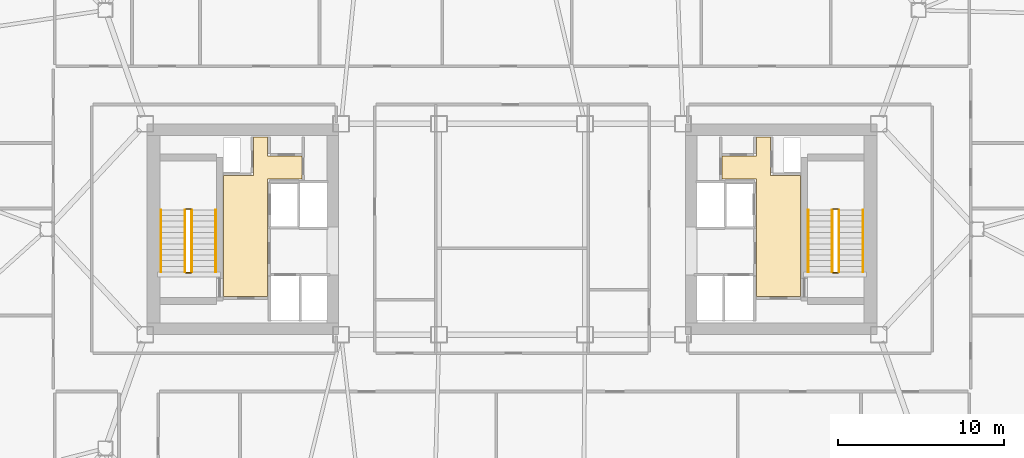
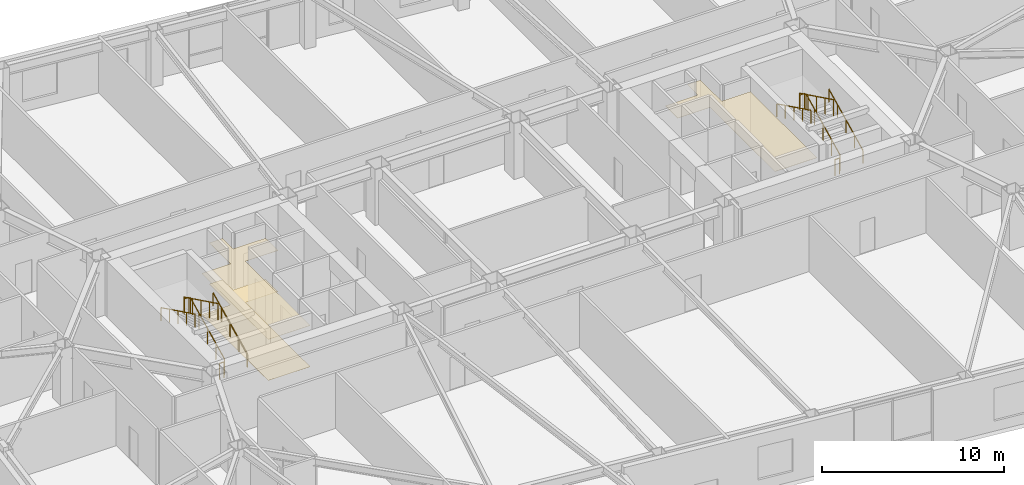
# One storey, part 19 of 19: 12 railings, 3 coverings.
"""IFC4 building model written with IfcOpenShell, lengths in metres."""

from ifc_helpers import new_model, si_unit, direction, frame, origin, origin_2d, place, context, subcontext, project, spatial, polyline, rectangle, outline, extrude, material, layer, layer_set, type_object, element, save


model = new_model("IFC4")

# Units and contexts
model_context = context("Model", 3, precision=1e-05, world=origin(), true_north=direction((0.0, 1.0)))
body_context = subcontext(model_context, "Body", "Model", "MODEL_VIEW")
ifc_project = project(units=[si_unit("LENGTHUNIT", "METRE"), si_unit("AREAUNIT", "SQUARE_METRE"), si_unit("VOLUMEUNIT", "CUBIC_METRE"), si_unit("PLANEANGLEUNIT", "RADIAN"), si_unit("MASSUNIT", "GRAM", prefix="KILO")], contexts=[model_context])

# Site, building, storey
site_placement = place(None, origin())
site = spatial("IfcSite", under=ifc_project, at=site_placement, CompositionType="ELEMENT")
building_placement = place(site_placement, origin())
building = spatial("IfcBuilding", under=site, at=building_placement, Name="Tavrogorsk Clinical Tower", CompositionType="ELEMENT")
storey_placement = place(building_placement, frame((0.0, 0.0, 101.39990234375)))
storey = spatial("IfcBuildingStorey", under=building, at=storey_placement, Name="L22", CompositionType="ELEMENT", Elevation=101.39990234375)

# Coverings
ifc_material_1 = material(Name="Antibacterial micro-perforated aluminium ceiling", Category="aluminium")
ifc_layer_1 = layer(ifc_material_1, 0.014892578125)
ifc_layer_set_1 = layer_set([ifc_layer_1], Name="Antibacterial micro-perforated aluminium ceiling")
covering_type_1 = type_object("IfcCoveringType", Name="ClinicalCeiling_15", PredefinedType="CEILING", material=ifc_layer_set_1)
covering_1_placement = place(storey_placement, frame((0.0, 0.0, 2.75)))
element("IfcCovering", 1, at=covering_1_placement, inside=storey, type_object=covering_type_1, Name="Core West Firefighting Lift Lobby Acoustic Ceiling", PredefinedType="CEILING", context=body_context, shape_type="SweptSolid", body=[
    extrude(outline(polyline([(-17.3798828125, -4.06005859375), (-17.3798828125, 3.239990234375), (-15.56005859375, 3.239990234375), (-15.56005859375, 5.56005859375), (-14.719970703125, 5.56005859375), (-14.719970703125, 4.39990234375), (-12.659912109375, 4.39990234375), (-12.659912109375, 3.0400390625), (-14.719970703125, 3.0400390625), (-14.719970703125, -4.06005859375), (-17.3798828125, -4.06005859375)])), origin(), (0.0, 0.0, 1.0), 0.01513671875),
])
covering_2_placement = place(storey_placement, frame((0.0, 0.0, 2.75)))
element("IfcCovering", 2, at=covering_2_placement, inside=storey, type_object=covering_type_1, Name="Core East Firefighting Lift Lobby Acoustic Ceiling", PredefinedType="CEILING", context=body_context, shape_type="SweptSolid", body=[
    extrude(outline(polyline([(14.719970703125, 3.0400390625), (12.659912109375, 3.0400390625), (12.659912109375, 4.39990234375), (14.719970703125, 4.39990234375), (14.719970703125, 5.56005859375), (15.56005859375, 5.56005859375), (15.56005859375, 3.239990234375), (17.3798828125, 3.239990234375), (17.3798828125, -4.06005859375), (14.719970703125, -4.06005859375), (14.719970703125, 3.0400390625)])), origin(), (0.0, 0.0, 1.0), 0.01513671875),
])
ifc_material_2 = material(Name="Homogeneous medical conductive PVC flooring")
ifc_layer_2 = layer(ifc_material_2, 0.008056640625)
ifc_layer_set_2 = layer_set([ifc_layer_2], Name="Homogeneous medical conductive PVC flooring")
covering_type_2 = type_object("IfcCoveringType", Name="ResilientVinylFloor_8", PredefinedType="FLOORING", material=ifc_layer_set_2)
covering_3_placement = place(storey_placement, origin())
element("IfcCovering", 3, at=covering_3_placement, inside=storey, type_object=covering_type_2, Name="Core West Firefighting Lift Lobby Conductive Vinyl Flooring", PredefinedType="FLOORING", context=body_context, shape_type="SweptSolid", body=[
    extrude(outline(polyline([(-17.3798828125, -4.06005859375), (-17.3798828125, 3.239990234375), (-15.56005859375, 3.239990234375), (-15.56005859375, 5.56005859375), (-14.719970703125, 5.56005859375), (-14.719970703125, 4.39990234375), (-12.659912109375, 4.39990234375), (-12.659912109375, 3.0400390625), (-14.719970703125, 3.0400390625), (-14.719970703125, -4.06005859375), (-17.3798828125, -4.06005859375)])), origin(), (0.0, 0.0, 1.0), 0.008056640625),
])

# Railings
ifc_material_3 = material(Name="Galvanised steel S355 safety stairwell guard", Category="steel")
ifc_layer_3 = layer(ifc_material_3, 0.06005859375)
ifc_layer_set_3 = layer_set([ifc_layer_3], Name="Galvanised steel S355 safety stairwell guard")
railing_type_1 = type_object("IfcRailingType", Name="StairGuard_1150", PredefinedType="GUARDRAIL", material=ifc_layer_set_3)
railing_1_placement = place(storey_placement, frame((-19.300048828125, -2.574951171875, 0.166748046875)))
element("IfcRailing", 4, at=railing_1_placement, inside=storey, type_object=railing_type_1, Name="L22 ST-W stair guard 1", PredefinedType="GUARDRAIL", context=body_context, shape_type="SweptSolid", body=[
    extrude(rectangle(XDim=0.048095703125, YDim=0.048095703125, at=origin_2d()), frame((0.0, 0.0, 1.076171875), z_axis=(0.0, 0.897927990467, 0.440142390523), x_axis=(-1.0, 0.0, 0.0)), (0.0, 0.0, 1.0), 4.1650390625),
    extrude(rectangle(XDim=0.0419921875, YDim=0.0419921875, at=origin_2d()), origin(), (0.0, 0.0, 1.0), 1.052001953125),
    extrude(rectangle(XDim=0.0419921875, YDim=0.0419921875, at=origin_2d()), frame((0.0, 0.93505859375, 0.458251953125)), (0.0, 0.0, 1.0), 1.052001953125),
    extrude(rectangle(XDim=0.0419921875, YDim=0.0419921875, at=origin_2d()), frame((0.0, 1.8701171875, 0.91650390625)), (0.0, 0.0, 1.0), 1.052001953125),
    extrude(rectangle(XDim=0.0419921875, YDim=0.0419921875, at=origin_2d()), frame((0.0, 2.804931640625, 1.375)), (0.0, 0.0, 1.0), 1.052001953125),
    extrude(rectangle(XDim=0.0419921875, YDim=0.0419921875, at=origin_2d()), frame((0.0, 3.739990234375, 1.833251953125)), (0.0, 0.0, 1.0), 1.052001953125),
])
railing_2_placement = place(storey_placement, frame((-19.35009765625, 1.215087890625, 2.0)))
element("IfcRailing", 5, at=railing_2_placement, inside=storey, type_object=railing_type_1, Name="L22 ST-W stair guard 2", PredefinedType="GUARDRAIL", context=body_context, shape_type="SweptSolid", body=[
    extrude(rectangle(XDim=0.048095703125, YDim=0.048095703125, at=origin_2d()), frame((0.0, 0.0, 1.076171875), z_axis=(-1.0, 0.0, 0.0), x_axis=(0.0, -1.0, 0.0)), (0.0, 0.0, 1.0), 0.2998046875),
    extrude(rectangle(XDim=0.0419921875, YDim=0.0419921875, at=origin_2d()), origin(), (0.0, 0.0, 1.0), 1.052001953125),
    extrude(rectangle(XDim=0.0419921875, YDim=0.0419921875, at=origin_2d()), frame((-0.2998046875, 0.0, 0.0)), (0.0, 0.0, 1.0), 1.052001953125),
])
railing_3_placement = place(storey_placement, frame((-19.699951171875, 1.1650390625, 2.166748046875)))
element("IfcRailing", 6, at=railing_3_placement, inside=storey, type_object=railing_type_1, Name="L22 ST-W stair guard 3", PredefinedType="GUARDRAIL", context=body_context, shape_type="SweptSolid", body=[
    extrude(rectangle(XDim=0.048095703125, YDim=0.048095703125, at=origin_2d()), frame((0.0, 0.0, 1.076171875), z_axis=(0.0, -0.897927990467, 0.440142390523), x_axis=(1.0, 0.0, 0.0)), (0.0, 0.0, 1.0), 4.1650390625),
    extrude(rectangle(XDim=0.0419921875, YDim=0.0419921875, at=origin_2d()), origin(), (0.0, 0.0, 1.0), 1.052001953125),
    extrude(rectangle(XDim=0.0419921875, YDim=0.0419921875, at=origin_2d()), frame((0.0, -0.93505859375, 0.458251953125)), (0.0, 0.0, 1.0), 1.052001953125),
    extrude(rectangle(XDim=0.0419921875, YDim=0.0419921875, at=origin_2d()), frame((0.0, -1.8701171875, 0.91650390625)), (0.0, 0.0, 1.0), 1.052001953125),
    extrude(rectangle(XDim=0.0419921875, YDim=0.0419921875, at=origin_2d()), frame((0.0, -2.804931640625, 1.375)), (0.0, 0.0, 1.0), 1.052001953125),
    extrude(rectangle(XDim=0.0419921875, YDim=0.0419921875, at=origin_2d()), frame((0.0, -3.739990234375, 1.833251953125)), (0.0, 0.0, 1.0), 1.052001953125),
])
railing_4_placement = place(storey_placement, frame((-19.35009765625, -2.625, 0.0)))
element("IfcRailing", 7, at=railing_4_placement, inside=storey, type_object=railing_type_1, Name="L22 ST-W stair guard 4", PredefinedType="GUARDRAIL", context=body_context, shape_type="SweptSolid", body=[
    extrude(rectangle(XDim=0.048095703125, YDim=0.048095703125, at=origin_2d()), frame((0.0, 0.0, 1.076171875), z_axis=(-1.0, 0.0, 0.0), x_axis=(0.0, -1.0, 0.0)), (0.0, 0.0, 1.0), 0.2998046875),
    extrude(rectangle(XDim=0.0419921875, YDim=0.0419921875, at=origin_2d()), origin(), (0.0, 0.0, 1.0), 1.052001953125),
    extrude(rectangle(XDim=0.0419921875, YDim=0.0419921875, at=origin_2d()), frame((-0.2998046875, 0.0, 0.0)), (0.0, 0.0, 1.0), 1.052001953125),
])
railing_5_placement = place(storey_placement, frame((19.699951171875, -2.574951171875, 0.166748046875)))
element("IfcRailing", 8, at=railing_5_placement, inside=storey, type_object=railing_type_1, Name="L22 ST-E stair guard 1", PredefinedType="GUARDRAIL", context=body_context, shape_type="SweptSolid", body=[
    extrude(rectangle(XDim=0.048095703125, YDim=0.048095703125, at=origin_2d()), frame((0.0, 0.0, 1.076171875), z_axis=(0.0, 0.897927990467, 0.440142390523), x_axis=(-1.0, 0.0, 0.0)), (0.0, 0.0, 1.0), 4.1650390625),
    extrude(rectangle(XDim=0.0419921875, YDim=0.0419921875, at=origin_2d()), origin(), (0.0, 0.0, 1.0), 1.052001953125),
    extrude(rectangle(XDim=0.0419921875, YDim=0.0419921875, at=origin_2d()), frame((0.0, 0.93505859375, 0.458251953125)), (0.0, 0.0, 1.0), 1.052001953125),
    extrude(rectangle(XDim=0.0419921875, YDim=0.0419921875, at=origin_2d()), frame((0.0, 1.8701171875, 0.91650390625)), (0.0, 0.0, 1.0), 1.052001953125),
    extrude(rectangle(XDim=0.0419921875, YDim=0.0419921875, at=origin_2d()), frame((0.0, 2.804931640625, 1.375)), (0.0, 0.0, 1.0), 1.052001953125),
    extrude(rectangle(XDim=0.0419921875, YDim=0.0419921875, at=origin_2d()), frame((0.0, 3.739990234375, 1.833251953125)), (0.0, 0.0, 1.0), 1.052001953125),
])
railing_6_placement = place(storey_placement, frame((19.64990234375, 1.215087890625, 2.0)))
element("IfcRailing", 9, at=railing_6_placement, inside=storey, type_object=railing_type_1, Name="L22 ST-E stair guard 2", PredefinedType="GUARDRAIL", context=body_context, shape_type="SweptSolid", body=[
    extrude(rectangle(XDim=0.048095703125, YDim=0.048095703125, at=origin_2d()), frame((0.0, 0.0, 1.076171875), z_axis=(-1.0, 0.0, 0.0), x_axis=(0.0, -1.0, 0.0)), (0.0, 0.0, 1.0), 0.2998046875),
    extrude(rectangle(XDim=0.0419921875, YDim=0.0419921875, at=origin_2d()), origin(), (0.0, 0.0, 1.0), 1.052001953125),
    extrude(rectangle(XDim=0.0419921875, YDim=0.0419921875, at=origin_2d()), frame((-0.2998046875, 0.0, 0.0)), (0.0, 0.0, 1.0), 1.052001953125),
])
railing_7_placement = place(storey_placement, frame((19.300048828125, 1.1650390625, 2.166748046875)))
element("IfcRailing", 10, at=railing_7_placement, inside=storey, type_object=railing_type_1, Name="L22 ST-E stair guard 3", PredefinedType="GUARDRAIL", context=body_context, shape_type="SweptSolid", body=[
    extrude(rectangle(XDim=0.048095703125, YDim=0.048095703125, at=origin_2d()), frame((0.0, 0.0, 1.076171875), z_axis=(0.0, -0.897927990467, 0.440142390523), x_axis=(1.0, 0.0, 0.0)), (0.0, 0.0, 1.0), 4.1650390625),
    extrude(rectangle(XDim=0.0419921875, YDim=0.0419921875, at=origin_2d()), origin(), (0.0, 0.0, 1.0), 1.052001953125),
    extrude(rectangle(XDim=0.0419921875, YDim=0.0419921875, at=origin_2d()), frame((0.0, -0.93505859375, 0.458251953125)), (0.0, 0.0, 1.0), 1.052001953125),
    extrude(rectangle(XDim=0.0419921875, YDim=0.0419921875, at=origin_2d()), frame((0.0, -1.8701171875, 0.91650390625)), (0.0, 0.0, 1.0), 1.052001953125),
    extrude(rectangle(XDim=0.0419921875, YDim=0.0419921875, at=origin_2d()), frame((0.0, -2.804931640625, 1.375)), (0.0, 0.0, 1.0), 1.052001953125),
    extrude(rectangle(XDim=0.0419921875, YDim=0.0419921875, at=origin_2d()), frame((0.0, -3.739990234375, 1.833251953125)), (0.0, 0.0, 1.0), 1.052001953125),
])
railing_8_placement = place(storey_placement, frame((19.64990234375, -2.625, 0.0)))
element("IfcRailing", 11, at=railing_8_placement, inside=storey, type_object=railing_type_1, Name="L22 ST-E stair guard 4", PredefinedType="GUARDRAIL", context=body_context, shape_type="SweptSolid", body=[
    extrude(rectangle(XDim=0.048095703125, YDim=0.048095703125, at=origin_2d()), frame((0.0, 0.0, 1.076171875), z_axis=(-1.0, 0.0, 0.0), x_axis=(0.0, -1.0, 0.0)), (0.0, 0.0, 1.0), 0.2998046875),
    extrude(rectangle(XDim=0.0419921875, YDim=0.0419921875, at=origin_2d()), origin(), (0.0, 0.0, 1.0), 1.052001953125),
    extrude(rectangle(XDim=0.0419921875, YDim=0.0419921875, at=origin_2d()), frame((-0.2998046875, 0.0, 0.0)), (0.0, 0.0, 1.0), 1.052001953125),
])
ifc_material_4 = material(Name="Stainless steel AISI 304 tubular handrail", Category="steel")
ifc_layer_4 = layer(ifc_material_4, 0.050048828125)
ifc_layer_set_4 = layer_set([ifc_layer_4], Name="Stainless steel AISI 304 tubular handrail")
railing_type_2 = type_object("IfcRailingType", Name="StairHandrail_920", PredefinedType="HANDRAIL", material=ifc_layer_set_4)
railing_9_placement = place(storey_placement, frame((-17.85009765625, -2.574951171875, 0.166748046875)))
element("IfcRailing", 12, at=railing_9_placement, inside=storey, type_object=railing_type_2, Name="L22 ST-W stair handrail 1", PredefinedType="HANDRAIL", context=body_context, shape_type="SweptSolid", body=[
    extrude(rectangle(XDim=0.048095703125, YDim=0.048095703125, at=origin_2d()), frame((0.0, 0.0, 0.8759765625), z_axis=(0.0, 0.897927990467, 0.440142390523), x_axis=(-1.0, 0.0, 0.0)), (0.0, 0.0, 1.0), 4.1650390625),
    extrude(rectangle(XDim=0.0419921875, YDim=0.0419921875, at=origin_2d()), origin(), (0.0, 0.0, 1.0), 0.851806640625),
    extrude(rectangle(XDim=0.0419921875, YDim=0.0419921875, at=origin_2d()), frame((0.0, 0.93505859375, 0.458251953125)), (0.0, 0.0, 1.0), 0.851806640625),
    extrude(rectangle(XDim=0.0419921875, YDim=0.0419921875, at=origin_2d()), frame((0.0, 1.8701171875, 0.91650390625)), (0.0, 0.0, 1.0), 0.851806640625),
    extrude(rectangle(XDim=0.0419921875, YDim=0.0419921875, at=origin_2d()), frame((0.0, 2.804931640625, 1.375)), (0.0, 0.0, 1.0), 0.851806640625),
    extrude(rectangle(XDim=0.0419921875, YDim=0.0419921875, at=origin_2d()), frame((0.0, 3.739990234375, 1.833251953125)), (0.0, 0.0, 1.0), 0.851806640625),
])
railing_10_placement = place(storey_placement, frame((-21.14990234375, 1.1650390625, 2.166748046875)))
element("IfcRailing", 13, at=railing_10_placement, inside=storey, type_object=railing_type_2, Name="L22 ST-W stair handrail 2", PredefinedType="HANDRAIL", context=body_context, shape_type="SweptSolid", body=[
    extrude(rectangle(XDim=0.048095703125, YDim=0.048095703125, at=origin_2d()), frame((0.0, 0.0, 0.8759765625), z_axis=(0.0, -0.897927990467, 0.440142390523), x_axis=(1.0, 0.0, 0.0)), (0.0, 0.0, 1.0), 4.1650390625),
    extrude(rectangle(XDim=0.0419921875, YDim=0.0419921875, at=origin_2d()), origin(), (0.0, 0.0, 1.0), 0.851806640625),
    extrude(rectangle(XDim=0.0419921875, YDim=0.0419921875, at=origin_2d()), frame((0.0, -0.93505859375, 0.458251953125)), (0.0, 0.0, 1.0), 0.851806640625),
    extrude(rectangle(XDim=0.0419921875, YDim=0.0419921875, at=origin_2d()), frame((0.0, -1.8701171875, 0.91650390625)), (0.0, 0.0, 1.0), 0.851806640625),
    extrude(rectangle(XDim=0.0419921875, YDim=0.0419921875, at=origin_2d()), frame((0.0, -2.804931640625, 1.375)), (0.0, 0.0, 1.0), 0.851806640625),
    extrude(rectangle(XDim=0.0419921875, YDim=0.0419921875, at=origin_2d()), frame((0.0, -3.739990234375, 1.833251953125)), (0.0, 0.0, 1.0), 0.851806640625),
])
railing_11_placement = place(storey_placement, frame((21.14990234375, -2.574951171875, 0.166748046875)))
element("IfcRailing", 14, at=railing_11_placement, inside=storey, type_object=railing_type_2, Name="L22 ST-E stair handrail 1", PredefinedType="HANDRAIL", context=body_context, shape_type="SweptSolid", body=[
    extrude(rectangle(XDim=0.048095703125, YDim=0.048095703125, at=origin_2d()), frame((0.0, 0.0, 0.8759765625), z_axis=(0.0, 0.897927990467, 0.440142390523), x_axis=(-1.0, 0.0, 0.0)), (0.0, 0.0, 1.0), 4.1650390625),
    extrude(rectangle(XDim=0.0419921875, YDim=0.0419921875, at=origin_2d()), origin(), (0.0, 0.0, 1.0), 0.851806640625),
    extrude(rectangle(XDim=0.0419921875, YDim=0.0419921875, at=origin_2d()), frame((0.0, 0.93505859375, 0.458251953125)), (0.0, 0.0, 1.0), 0.851806640625),
    extrude(rectangle(XDim=0.0419921875, YDim=0.0419921875, at=origin_2d()), frame((0.0, 1.8701171875, 0.91650390625)), (0.0, 0.0, 1.0), 0.851806640625),
    extrude(rectangle(XDim=0.0419921875, YDim=0.0419921875, at=origin_2d()), frame((0.0, 2.804931640625, 1.375)), (0.0, 0.0, 1.0), 0.851806640625),
    extrude(rectangle(XDim=0.0419921875, YDim=0.0419921875, at=origin_2d()), frame((0.0, 3.739990234375, 1.833251953125)), (0.0, 0.0, 1.0), 0.851806640625),
])
railing_12_placement = place(storey_placement, frame((17.85009765625, 1.1650390625, 2.166748046875)))
element("IfcRailing", 15, at=railing_12_placement, inside=storey, type_object=railing_type_2, Name="L22 ST-E stair handrail 2", PredefinedType="HANDRAIL", context=body_context, shape_type="SweptSolid", body=[
    extrude(rectangle(XDim=0.048095703125, YDim=0.048095703125, at=origin_2d()), frame((0.0, 0.0, 0.8759765625), z_axis=(0.0, -0.897927990467, 0.440142390523), x_axis=(1.0, 0.0, 0.0)), (0.0, 0.0, 1.0), 4.1650390625),
    extrude(rectangle(XDim=0.0419921875, YDim=0.0419921875, at=origin_2d()), origin(), (0.0, 0.0, 1.0), 0.851806640625),
    extrude(rectangle(XDim=0.0419921875, YDim=0.0419921875, at=origin_2d()), frame((0.0, -0.93505859375, 0.458251953125)), (0.0, 0.0, 1.0), 0.851806640625),
    extrude(rectangle(XDim=0.0419921875, YDim=0.0419921875, at=origin_2d()), frame((0.0, -1.8701171875, 0.91650390625)), (0.0, 0.0, 1.0), 0.851806640625),
    extrude(rectangle(XDim=0.0419921875, YDim=0.0419921875, at=origin_2d()), frame((0.0, -2.804931640625, 1.375)), (0.0, 0.0, 1.0), 0.851806640625),
    extrude(rectangle(XDim=0.0419921875, YDim=0.0419921875, at=origin_2d()), frame((0.0, -3.739990234375, 1.833251953125)), (0.0, 0.0, 1.0), 0.851806640625),
])

save(model, "model.ifc")
